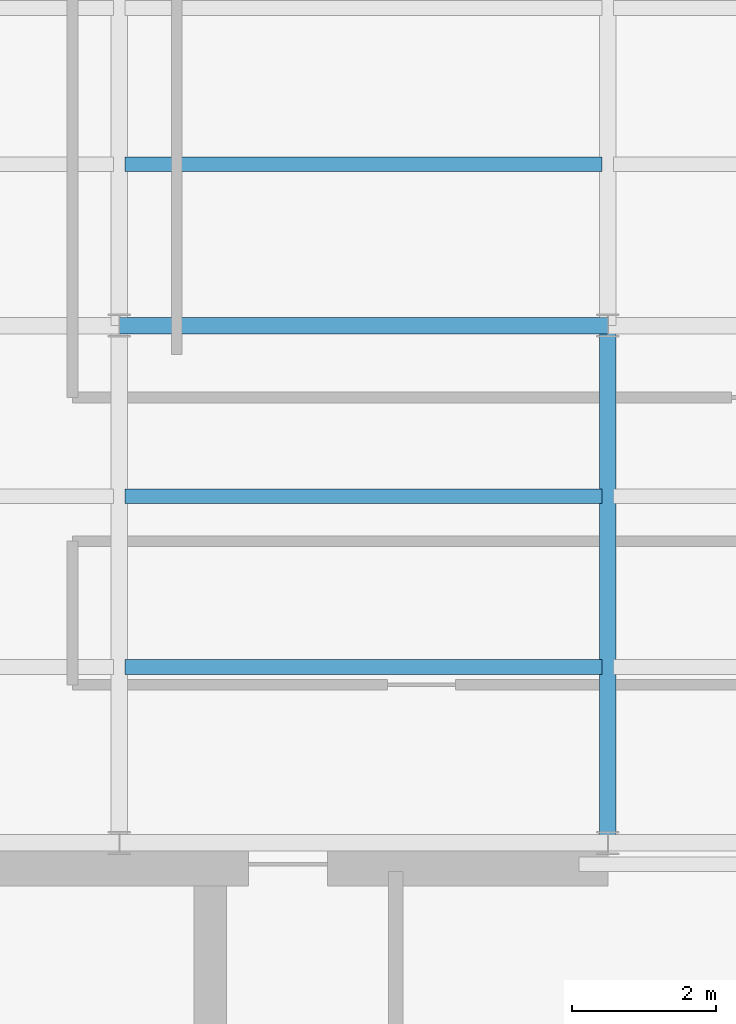
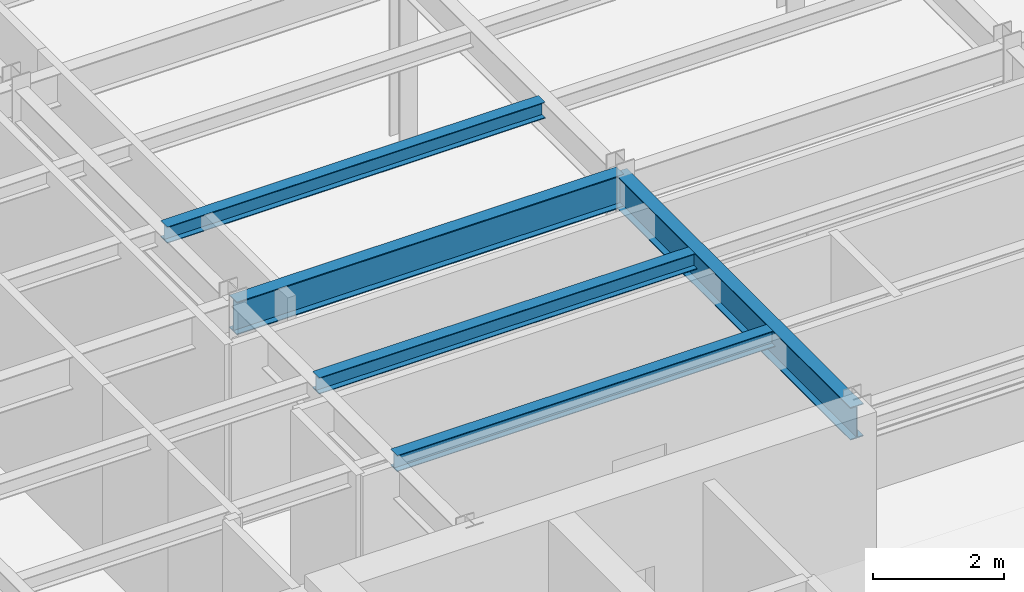
# One storey, part 6 of 22: 5 beams.
"""IFC4 building model written with IfcOpenShell, lengths in metres."""

import ifcopenshell
import ifcopenshell.guid

model = None  # the IFC model being written
_history = None  # IfcOwnerHistory: only IFC2X3 demands one
_inside = {}  # id of a spatial element -> (the spatial element, [elements in it])
_under = {}  # id of a project, library or spatial element -> (it, [spatial elements below it])
_declared = {}  # id of a project -> (the project, [libraries it declares])
_typed = {}  # id of a type object -> (the type object, [elements of that type])
_made_of = {}  # id of a material, layer set ... -> (it, [elements and type objects made of it])


def new_model(schema):
    """Start an empty IFC model of exactly this schema.

    Asked for "IFC4X3", IfcOpenShell would pick the latest addendum, in which some entities
    have other attributes; the version numbers below select the first issue.
    IFC2X3 requires an IfcOwnerHistory on every rooted entity: one is made here for all.
    """
    global model, _history
    if schema == "IFC4X3":
        model = ifcopenshell.file(schema_version=(4, 3, 0, 0))
    else:
        model = ifcopenshell.file(schema=schema)
    _inside.clear()
    _under.clear()
    _declared.clear()
    _typed.clear()
    _made_of.clear()
    _history = None
    if model.schema == "IFC2X3":
        org = make("IfcOrganization", Name="unknown")
        user = make(
            "IfcPersonAndOrganization",
            ThePerson=make("IfcPerson", FamilyName="unknown"),
            TheOrganization=org,
        )
        app = make(
            "IfcApplication",
            ApplicationDeveloper=org,
            Version="unknown",
            ApplicationFullName="unknown",
            ApplicationIdentifier="unknown",
        )
        _history = make(
            "IfcOwnerHistory",
            OwningUser=user,
            OwningApplication=app,
            ChangeAction="ADDED",
            CreationDate=0,
        )
    return model


def make(cls, **values):
    """One entity of the class cls with the attributes given. An attribute that is None is left unset."""
    return model.create_entity(
        cls, **{name: value for name, value in values.items() if value is not None}
    )


def rooted(cls, **values):
    """An entity with a GlobalId (a new one), such as an element, a storey or a relation."""
    return make(cls, GlobalId=ifcopenshell.guid.new(), OwnerHistory=_history, **values)


def si_unit(unit_type, name, prefix=None):
    """IfcSIUnit, for example si_unit("LENGTHUNIT", "METRE", prefix="MILLI")."""
    return make("IfcSIUnit", UnitType=unit_type, Prefix=prefix, Name=name)


def derived_unit(unit_type, elements):
    """IfcDerivedUnit: a product of units, each with its exponent."""
    return make(
        "IfcDerivedUnit",
        Elements=[
            make("IfcDerivedUnitElement", Unit=unit, Exponent=power)
            for unit, power in elements
        ],
        UnitType=unit_type,
    )


def assignment(units):
    """IfcUnitAssignment: the units of a project."""
    return None if units is None else make("IfcUnitAssignment", Units=units)


def point(xyz):
    """IfcCartesianPoint."""
    return None if xyz is None else make("IfcCartesianPoint", Coordinates=xyz)


def direction(xyz):
    """IfcDirection."""
    return None if xyz is None else make("IfcDirection", DirectionRatios=xyz)


def frame(location, z_axis=None, x_axis=None):
    """IfcAxis2Placement3D, a coordinate frame: its origin and axes. An axis left out is left unset."""
    return make(
        "IfcAxis2Placement3D",
        Location=point(location),
        Axis=direction(z_axis),
        RefDirection=direction(x_axis),
    )


def frame_2d(location, x_axis=None):
    """IfcAxis2Placement2D, a coordinate frame in the plane: its origin and x axis."""
    return make(
        "IfcAxis2Placement2D", Location=point(location), RefDirection=direction(x_axis)
    )


def origin():
    """The frame at (0, 0, 0) with its axes left unset."""
    return frame((0.0, 0.0, 0.0))


def origin_2d():
    """The frame at (0, 0) in the plane with its x axis left unset."""
    return frame_2d((0.0, 0.0))


def place(relative_to, where):
    """IfcLocalPlacement: puts the frame where relative to a parent placement (None: the world)."""
    return make(
        "IfcLocalPlacement", PlacementRelTo=relative_to, RelativePlacement=where
    )


def context(
    kind, dimensions, precision=None, world=None, true_north=None, identifier=None
):
    """IfcGeometricRepresentationContext, for example the 3D "Model" context."""
    return make(
        "IfcGeometricRepresentationContext",
        ContextIdentifier=identifier,
        ContextType=kind,
        CoordinateSpaceDimension=dimensions,
        Precision=precision,
        WorldCoordinateSystem=world,
        TrueNorth=true_north,
    )


def subcontext(parent, identifier, kind, view, scale=None):
    """IfcGeometricRepresentationSubContext, for example "Body" below "Model"."""
    return make(
        "IfcGeometricRepresentationSubContext",
        ContextIdentifier=identifier,
        ContextType=kind,
        ParentContext=parent,
        TargetScale=scale,
        TargetView=view,
    )


def project(units=None, contexts=None):
    """IfcProject with its units and contexts."""
    return rooted(
        "IfcProject",
        Name="project",
        RepresentationContexts=contexts,
        UnitsInContext=assignment(units),
    )


def spatial(cls, under=None, at=None, **own):
    """A site, building, storey or space (cls), placed at a placement, below another one or the project."""
    s = rooted(cls, ObjectPlacement=at, **own)
    if under is not None:
        _under.setdefault(under.id(), (under, []))[1].append(s)
    return s


def profile(cls, at=None, kind="AREA", **sizes):
    """A parametric profile (cls). Its sizes go by their IFC names, for example OverallWidth=200.0."""
    return make(cls, ProfileType=kind, Position=at, **sizes)


def i_section(**sizes):
    """IfcIShapeProfileDef."""
    return profile("IfcIShapeProfileDef", **sizes)


def extrude(swept, where, along, depth):
    """IfcExtrudedAreaSolid: the profile swept, set in the frame where, extruded along a direction by depth."""
    return make(
        "IfcExtrudedAreaSolid",
        SweptArea=swept,
        Position=where,
        ExtrudedDirection=direction(along),
        Depth=depth,
    )


def shape(context_of_items, identifier, shape_type, items):
    """IfcShapeRepresentation: the items that make up one representation, for example the "Body"."""
    return make(
        "IfcShapeRepresentation",
        ContextOfItems=context_of_items,
        RepresentationIdentifier=identifier,
        RepresentationType=shape_type,
        Items=items,
    )


def source(mapping_origin, context_of_items, identifier, shape_type, items):
    """IfcRepresentationMap: a shape defined once, which mapped items show again and again."""
    return make(
        "IfcRepresentationMap",
        MappingOrigin=mapping_origin,
        MappedRepresentation=shape(context_of_items, identifier, shape_type, items),
    )


def transform(
    local_origin,
    x_axis=None,
    y_axis=None,
    z_axis=None,
    scale=None,
    scale2=None,
    scale3=None,
    uniform=True,
):
    """IfcCartesianTransformationOperator3D, or its non-uniform kind. x_axis, y_axis, z_axis: its Axis1, 2, 3."""
    if uniform:
        return make(
            "IfcCartesianTransformationOperator3D",
            Axis1=direction(x_axis),
            Axis2=direction(y_axis),
            LocalOrigin=point(local_origin),
            Scale=scale,
            Axis3=direction(z_axis),
        )
    return make(
        "IfcCartesianTransformationOperator3DnonUniform",
        Axis1=direction(x_axis),
        Axis2=direction(y_axis),
        LocalOrigin=point(local_origin),
        Scale=scale,
        Axis3=direction(z_axis),
        Scale2=scale2,
        Scale3=scale3,
    )


def mapped(mapping_source, mapping_target):
    """IfcMappedItem: shows the shape of a source again, moved by a transform."""
    return make(
        "IfcMappedItem", MappingSource=mapping_source, MappingTarget=mapping_target
    )


def material(Name=None, Category=None):
    """IfcMaterial."""
    return make("IfcMaterial", Name=Name, Category=Category)


def material_profile(
    of_material, cross_section, Name=None, Category=None, Priority=None
):
    """IfcMaterialProfile: a cross section and its material."""
    return make(
        "IfcMaterialProfile",
        Name=Name,
        Material=of_material,
        Profile=cross_section,
        Priority=Priority,
        Category=Category,
    )


def profile_set(profiles, Name=None, composite=None):
    """IfcMaterialProfileSet."""
    return make(
        "IfcMaterialProfileSet",
        Name=Name,
        MaterialProfiles=profiles,
        CompositeProfile=composite,
    )


def made_of(thing, what):
    """Note that an element or type object is made of a material, layer set ...; save() writes the relation."""
    if what is not None:
        _made_of.setdefault(what.id(), (what, []))[1].append(thing)
    return thing


def type_object(cls, material=None, **own):
    """A type object (cls), such as IfcWallType, which elements share."""
    return made_of(rooted(cls, **own), material)


def element(
    cls,
    number,
    at=None,
    inside=None,
    cuts=None,
    type_object=None,
    material=None,
    context=None,
    identifier="Body",
    shape_type=None,
    held_by="IfcProductDefinitionShape",
    body=None,
    shapes=None,
    **own,
):
    """One element of the class cls, such as IfcWall. Its Tag is "e" and its number.

    at: its placement. inside: the storey or other place that contains it. cuts: it is an
    opening in that element (IfcRelVoidsElement). A single representation is given by context,
    identifier, shape_type and body (its items); several are given by shapes. held_by: the class
    of the entity that holds the representations. save() writes the other relations.
    """
    e = rooted(cls, Tag="e%d" % number, ObjectPlacement=at, **own)
    if body is not None:
        shapes = [shape(context, identifier, shape_type, body)]
    if shapes is not None:
        e.Representation = make(held_by, Representations=shapes)
    if inside is not None:
        _inside.setdefault(inside.id(), (inside, []))[1].append(e)
    if cuts is not None:
        rooted(
            "IfcRelVoidsElement", RelatingBuildingElement=cuts, RelatedOpeningElement=e
        )
    if type_object is not None:
        _typed.setdefault(type_object.id(), (type_object, []))[1].append(e)
    return made_of(e, material)


def aggregate(whole, parts):
    """IfcRelAggregates: a whole, such as a stair, and the parts it consists of."""
    return rooted("IfcRelAggregates", RelatingObject=whole, RelatedObjects=parts)


def save(model, path):
    """Write the relations noted so far, then the file.

    IfcRelAggregates (storeys below a building ...), IfcRelContainedInSpatialStructure (elements
    in a storey), IfcRelDefinesByType, IfcRelAssociatesMaterial and IfcRelDeclares: one each for
    every whole, place, type object, material and project.
    """
    for whole, parts in _under.values():
        aggregate(whole, parts)
    for where, things in _inside.values():
        rooted(
            "IfcRelContainedInSpatialStructure",
            RelatedElements=things,
            RelatingStructure=where,
        )
    for kind, things in _typed.values():
        rooted("IfcRelDefinesByType", RelatedObjects=things, RelatingType=kind)
    for what, things in _made_of.values():
        rooted("IfcRelAssociatesMaterial", RelatedObjects=things, RelatingMaterial=what)
    for by, libraries in _declared.values():
        rooted("IfcRelDeclares", RelatingContext=by, RelatedDefinitions=libraries)
    model.write(path)


model = new_model("IFC4")

# Units and contexts
model_context = context("Model", 3, precision=1e-05, world=origin(), true_north=direction((0.0, 1.0)))
body_context = subcontext(model_context, "Body", "Model", "MODEL_VIEW")
ifc_project = project(units=[si_unit("LENGTHUNIT", "METRE"), si_unit("AREAUNIT", "SQUARE_METRE"), si_unit("VOLUMEUNIT", "CUBIC_METRE"), si_unit("PLANEANGLEUNIT", "RADIAN"), si_unit("MASSUNIT", "GRAM", prefix="KILO"), derived_unit("THERMALTRANSMITTANCEUNIT", [(si_unit("POWERUNIT", "WATT"), 1), (si_unit("LENGTHUNIT", "METRE"), -2), (si_unit("THERMODYNAMICTEMPERATUREUNIT", "KELVIN"), -1)])], contexts=[model_context])

# Site, building, storey
site_placement = place(None, origin())
site = spatial("IfcSite", under=ifc_project, at=site_placement, CompositionType="ELEMENT")
building_placement = place(site_placement, origin())
building = spatial("IfcBuilding", under=site, at=building_placement, Name="Skarnbrae Concourse Arena and Tower", CompositionType="ELEMENT")
storey_placement = place(building_placement, frame((0.0, 0.0, 284.35009765625)))
storey = spatial("IfcBuildingStorey", under=building, at=storey_placement, Name="L74", CompositionType="ELEMENT", Elevation=284.35009765625)

# Beams
ifc_material = material(Name="Steel CSA G40.21 350W", Category="steel")
ifc_material_profile_1 = material_profile(ifc_material, i_section(OverallWidth=0.22802734375, OverallDepth=0.60791015625, WebThickness=0.01123046875, FlangeThickness=0.017333984375, at=origin_2d()), Name="W610X113")
ifc_profile_set_1 = profile_set([ifc_material_profile_1], Name="Steel CSA G40.21 350W")
beam_type_1 = type_object("IfcBeamType", Name="BM-GIRD-W610X113", PredefinedType="BEAM", material=ifc_profile_set_1)
shared_shape_1 = source(origin(), body_context, "Body", "SweptSolid", [
    extrude(i_section(OverallWidth=0.22802734375, OverallDepth=0.60791015625, WebThickness=0.01123046875, FlangeThickness=0.017333984375, at=origin_2d()), origin(), (0.0, 0.0, 1.0), 6.7998046875),
])
beam_1_placement = place(storey_placement, frame((7.60009765625, 21.199951171875, 3.095947265625), z_axis=(1.0, 0.0, 0.0), x_axis=(0.0, 1.0, 0.0)))
element("IfcBeam", 1, at=beam_1_placement, inside=storey, type_object=beam_type_1, Name="L74 Primary E-W girder Y21.2-2", PredefinedType="BEAM", context=body_context, shape_type="MappedRepresentation", body=[
    mapped(shared_shape_1, transform((0.0, 0.0, 0.0))),
])
shared_shape_2 = source(origin(), body_context, "Body", "SweptSolid", [
    extrude(i_section(OverallWidth=0.22802734375, OverallDepth=0.60791015625, WebThickness=0.01123046875, FlangeThickness=0.017333984375, at=origin_2d()), origin(), (0.0, 0.0, 1.0), 7.199951171875),
])
beam_2_placement = place(storey_placement, frame((14.39990234375, 14.0, 3.095947265625), z_axis=(0.0, 1.0, 0.0), x_axis=(-1.0, 0.0, 0.0)))
element("IfcBeam", 2, at=beam_2_placement, inside=storey, type_object=beam_type_1, Name="L74 Primary N-S girder X14.4-1", PredefinedType="BEAM", context=body_context, shape_type="MappedRepresentation", body=[
    mapped(shared_shape_2, transform((0.0, 0.0, 0.0))),
])
ifc_material_profile_2 = material_profile(ifc_material, i_section(OverallWidth=0.202880859375, OverallDepth=0.302978515625, WebThickness=0.007568359375, FlangeThickness=0.01318359375, at=origin_2d()), Name="W310X60")
ifc_profile_set_2 = profile_set([ifc_material_profile_2], Name="Steel CSA G40.21 350W")
beam_type_2 = type_object("IfcBeamType", Name="BM-JOIST-W310X60", PredefinedType="JOIST", material=ifc_profile_set_2)
shared_shape_3 = source(origin(), body_context, "Body", "SweptSolid", [
    extrude(i_section(OverallWidth=0.202880859375, OverallDepth=0.302978515625, WebThickness=0.007568359375, FlangeThickness=0.01318359375, at=origin_2d()), origin(), (0.0, 0.0, 1.0), 6.64013671875),
])
for number, where, z_axis, x_axis, name in (
    (3, (7.679931640625, 16.447998046875, 3.248291015625), (1.0, 0.0, 0.0), (0.0, 1.0, 0.0), "L74 Secondary floor joist 1.1.2"),
    (4, (7.679931640625, 18.823974609375, 3.248291015625), (1.0, 0.0, 0.0), (0.0, 1.0, 0.0), "L74 Secondary floor joist 1.2.2"),
    (5, (7.679931640625, 23.444091796875, 3.248291015625), (1.0, 0.0, 0.0), (0.0, 1.0, 0.0), "L74 Secondary floor joist 2.1.2"),
):
    element("IfcBeam", number, at=place(storey_placement, frame(where, z_axis=z_axis, x_axis=x_axis)), inside=storey, type_object=beam_type_2, Name=name, PredefinedType="JOIST", context=body_context, shape_type="MappedRepresentation", body=[
        mapped(shared_shape_3, transform((0.0, 0.0, 0.0))),
    ])

save(model, "model.ifc")
